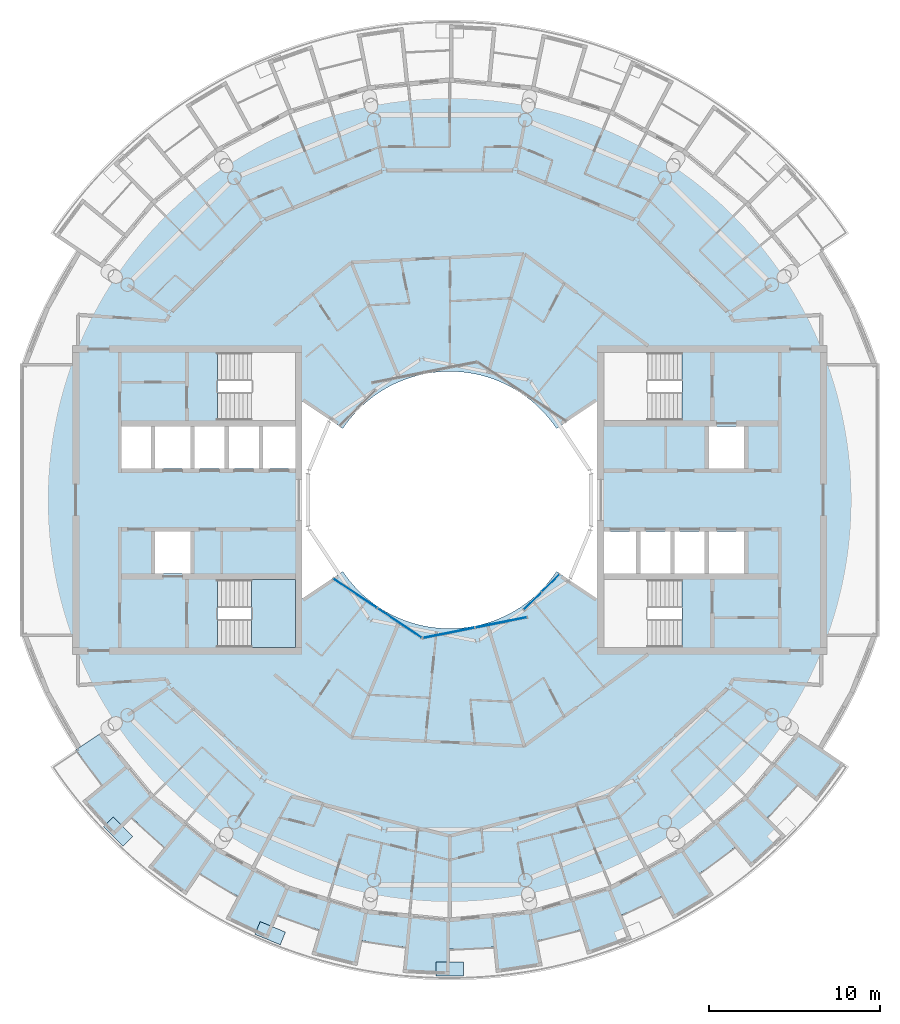
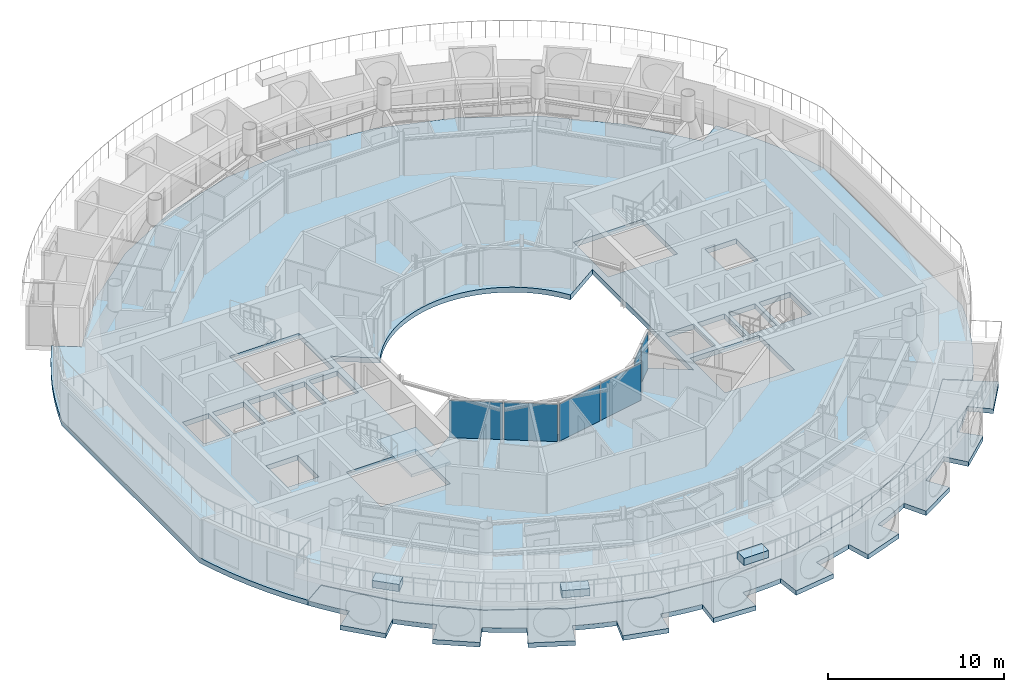
# One storey, part 9 of 25: 6 plates, 6 slabs, 4 elements without a shape of their own.
"""IFC4 building model written with IfcOpenShell, lengths in metres."""

import ifcopenshell
import ifcopenshell.guid

model = None  # the IFC model being written
_history = None  # IfcOwnerHistory: only IFC2X3 demands one
_inside = {}  # id of a spatial element -> (the spatial element, [elements in it])
_under = {}  # id of a project, library or spatial element -> (it, [spatial elements below it])
_declared = {}  # id of a project -> (the project, [libraries it declares])
_typed = {}  # id of a type object -> (the type object, [elements of that type])
_made_of = {}  # id of a material, layer set ... -> (it, [elements and type objects made of it])


def new_model(schema):
    """Start an empty IFC model of exactly this schema.

    Asked for "IFC4X3", IfcOpenShell would pick the latest addendum, in which some entities
    have other attributes; the version numbers below select the first issue.
    IFC2X3 requires an IfcOwnerHistory on every rooted entity: one is made here for all.
    """
    global model, _history
    if schema == "IFC4X3":
        model = ifcopenshell.file(schema_version=(4, 3, 0, 0))
    else:
        model = ifcopenshell.file(schema=schema)
    _inside.clear()
    _under.clear()
    _declared.clear()
    _typed.clear()
    _made_of.clear()
    _history = None
    if model.schema == "IFC2X3":
        org = make("IfcOrganization", Name="unknown")
        user = make(
            "IfcPersonAndOrganization",
            ThePerson=make("IfcPerson", FamilyName="unknown"),
            TheOrganization=org,
        )
        app = make(
            "IfcApplication",
            ApplicationDeveloper=org,
            Version="unknown",
            ApplicationFullName="unknown",
            ApplicationIdentifier="unknown",
        )
        _history = make(
            "IfcOwnerHistory",
            OwningUser=user,
            OwningApplication=app,
            ChangeAction="ADDED",
            CreationDate=0,
        )
    return model


def make(cls, **values):
    """One entity of the class cls with the attributes given. An attribute that is None is left unset."""
    return model.create_entity(
        cls, **{name: value for name, value in values.items() if value is not None}
    )


def rooted(cls, **values):
    """An entity with a GlobalId (a new one), such as an element, a storey or a relation."""
    return make(cls, GlobalId=ifcopenshell.guid.new(), OwnerHistory=_history, **values)


def si_unit(unit_type, name, prefix=None):
    """IfcSIUnit, for example si_unit("LENGTHUNIT", "METRE", prefix="MILLI")."""
    return make("IfcSIUnit", UnitType=unit_type, Prefix=prefix, Name=name)


def assignment(units):
    """IfcUnitAssignment: the units of a project."""
    return None if units is None else make("IfcUnitAssignment", Units=units)


def point(xyz):
    """IfcCartesianPoint."""
    return None if xyz is None else make("IfcCartesianPoint", Coordinates=xyz)


def direction(xyz):
    """IfcDirection."""
    return None if xyz is None else make("IfcDirection", DirectionRatios=xyz)


def frame(location, z_axis=None, x_axis=None):
    """IfcAxis2Placement3D, a coordinate frame: its origin and axes. An axis left out is left unset."""
    return make(
        "IfcAxis2Placement3D",
        Location=point(location),
        Axis=direction(z_axis),
        RefDirection=direction(x_axis),
    )


def frame_2d(location, x_axis=None):
    """IfcAxis2Placement2D, a coordinate frame in the plane: its origin and x axis."""
    return make(
        "IfcAxis2Placement2D", Location=point(location), RefDirection=direction(x_axis)
    )


def origin():
    """The frame at (0, 0, 0) with its axes left unset."""
    return frame((0.0, 0.0, 0.0))


def origin_2d():
    """The frame at (0, 0) in the plane with its x axis left unset."""
    return frame_2d((0.0, 0.0))


def place(relative_to, where):
    """IfcLocalPlacement: puts the frame where relative to a parent placement (None: the world)."""
    return make(
        "IfcLocalPlacement", PlacementRelTo=relative_to, RelativePlacement=where
    )


def context(
    kind, dimensions, precision=None, world=None, true_north=None, identifier=None
):
    """IfcGeometricRepresentationContext, for example the 3D "Model" context."""
    return make(
        "IfcGeometricRepresentationContext",
        ContextIdentifier=identifier,
        ContextType=kind,
        CoordinateSpaceDimension=dimensions,
        Precision=precision,
        WorldCoordinateSystem=world,
        TrueNorth=true_north,
    )


def subcontext(parent, identifier, kind, view, scale=None):
    """IfcGeometricRepresentationSubContext, for example "Body" below "Model"."""
    return make(
        "IfcGeometricRepresentationSubContext",
        ContextIdentifier=identifier,
        ContextType=kind,
        ParentContext=parent,
        TargetScale=scale,
        TargetView=view,
    )


def project(units=None, contexts=None):
    """IfcProject with its units and contexts."""
    return rooted(
        "IfcProject",
        Name="project",
        RepresentationContexts=contexts,
        UnitsInContext=assignment(units),
    )


def spatial(cls, under=None, at=None, **own):
    """A site, building, storey or space (cls), placed at a placement, below another one or the project."""
    s = rooted(cls, ObjectPlacement=at, **own)
    if under is not None:
        _under.setdefault(under.id(), (under, []))[1].append(s)
    return s


def polyline(points):
    """IfcPolyline through the points."""
    return make("IfcPolyline", Points=[point(p) for p in points])


def profile(cls, at=None, kind="AREA", **sizes):
    """A parametric profile (cls). Its sizes go by their IFC names, for example OverallWidth=200.0."""
    return make(cls, ProfileType=kind, Position=at, **sizes)


def rectangle(**sizes):
    """IfcRectangleProfileDef."""
    return profile("IfcRectangleProfileDef", **sizes)


def outline(outer, holes=None, kind="AREA"):
    """IfcArbitraryClosedProfileDef: a profile drawn as a closed curve; with holes, ...WithVoids."""
    if holes is None:
        return make("IfcArbitraryClosedProfileDef", ProfileType=kind, OuterCurve=outer)
    return make(
        "IfcArbitraryProfileDefWithVoids",
        ProfileType=kind,
        OuterCurve=outer,
        InnerCurves=holes,
    )


def extrude(swept, where, along, depth):
    """IfcExtrudedAreaSolid: the profile swept, set in the frame where, extruded along a direction by depth."""
    return make(
        "IfcExtrudedAreaSolid",
        SweptArea=swept,
        Position=where,
        ExtrudedDirection=direction(along),
        Depth=depth,
    )


def shape(context_of_items, identifier, shape_type, items):
    """IfcShapeRepresentation: the items that make up one representation, for example the "Body"."""
    return make(
        "IfcShapeRepresentation",
        ContextOfItems=context_of_items,
        RepresentationIdentifier=identifier,
        RepresentationType=shape_type,
        Items=items,
    )


def material(Name=None, Category=None):
    """IfcMaterial."""
    return make("IfcMaterial", Name=Name, Category=Category)


def layer(
    of_material, thickness, ventilated=None, Name=None, Category=None, Priority=None
):
    """IfcMaterialLayer: one layer of a wall or slab, of a material (None: an air gap)."""
    return make(
        "IfcMaterialLayer",
        Material=of_material,
        LayerThickness=thickness,
        IsVentilated=ventilated,
        Name=Name,
        Category=Category,
        Priority=Priority,
    )


def layer_set(layers, Name=None):
    """IfcMaterialLayerSet."""
    return make("IfcMaterialLayerSet", MaterialLayers=layers, LayerSetName=Name)


def made_of(thing, what):
    """Note that an element or type object is made of a material, layer set ...; save() writes the relation."""
    if what is not None:
        _made_of.setdefault(what.id(), (what, []))[1].append(thing)
    return thing


def type_object(cls, material=None, **own):
    """A type object (cls), such as IfcWallType, which elements share."""
    return made_of(rooted(cls, **own), material)


def element(
    cls,
    number,
    at=None,
    inside=None,
    cuts=None,
    type_object=None,
    material=None,
    context=None,
    identifier="Body",
    shape_type=None,
    held_by="IfcProductDefinitionShape",
    body=None,
    shapes=None,
    **own,
):
    """One element of the class cls, such as IfcWall. Its Tag is "e" and its number.

    at: its placement. inside: the storey or other place that contains it. cuts: it is an
    opening in that element (IfcRelVoidsElement). A single representation is given by context,
    identifier, shape_type and body (its items); several are given by shapes. held_by: the class
    of the entity that holds the representations. save() writes the other relations.
    """
    e = rooted(cls, Tag="e%d" % number, ObjectPlacement=at, **own)
    if body is not None:
        shapes = [shape(context, identifier, shape_type, body)]
    if shapes is not None:
        e.Representation = make(held_by, Representations=shapes)
    if inside is not None:
        _inside.setdefault(inside.id(), (inside, []))[1].append(e)
    if cuts is not None:
        rooted(
            "IfcRelVoidsElement", RelatingBuildingElement=cuts, RelatedOpeningElement=e
        )
    if type_object is not None:
        _typed.setdefault(type_object.id(), (type_object, []))[1].append(e)
    return made_of(e, material)


def aggregate(whole, parts):
    """IfcRelAggregates: a whole, such as a stair, and the parts it consists of."""
    return rooted("IfcRelAggregates", RelatingObject=whole, RelatedObjects=parts)


def save(model, path):
    """Write the relations noted so far, then the file.

    IfcRelAggregates (storeys below a building ...), IfcRelContainedInSpatialStructure (elements
    in a storey), IfcRelDefinesByType, IfcRelAssociatesMaterial and IfcRelDeclares: one each for
    every whole, place, type object, material and project.
    """
    for whole, parts in _under.values():
        aggregate(whole, parts)
    for where, things in _inside.values():
        rooted(
            "IfcRelContainedInSpatialStructure",
            RelatedElements=things,
            RelatingStructure=where,
        )
    for kind, things in _typed.values():
        rooted("IfcRelDefinesByType", RelatedObjects=things, RelatingType=kind)
    for what, things in _made_of.values():
        rooted("IfcRelAssociatesMaterial", RelatedObjects=things, RelatingMaterial=what)
    for by, libraries in _declared.values():
        rooted("IfcRelDeclares", RelatingContext=by, RelatedDefinitions=libraries)
    model.write(path)


model = new_model("IFC4")

# Units and contexts
model_context = context("Model", 3, precision=1e-05, world=origin(), true_north=direction((0.0, 1.0)))
body_context = subcontext(model_context, "Body", "Model", "MODEL_VIEW")
ifc_project = project(units=[si_unit("LENGTHUNIT", "METRE"), si_unit("AREAUNIT", "SQUARE_METRE"), si_unit("VOLUMEUNIT", "CUBIC_METRE"), si_unit("PLANEANGLEUNIT", "RADIAN"), si_unit("MASSUNIT", "GRAM", prefix="KILO")], contexts=[model_context])

# Site, building, storey
site_placement = place(None, origin())
site = spatial("IfcSite", under=ifc_project, at=site_placement, CompositionType="ELEMENT")
building_placement = place(site_placement, origin())
building = spatial("IfcBuilding", under=site, at=building_placement, Name="Maasbend Ring Residences", CompositionType="ELEMENT")
storey_placement = place(building_placement, frame((0.0, 0.0, 246.25)))
storey = spatial("IfcBuildingStorey", under=building, at=storey_placement, Name="L71", CompositionType="ELEMENT", Elevation=246.25)

# Stair, slab
ifc_material_1 = material(Name="Concrete C40/50", Category="concrete")
stair_type = type_object("IfcStairType", Name="CORE STAIR 18 RISERS", PredefinedType="HALF_TURN_STAIR", material=ifc_material_1)
stair_placement = place(storey_placement, origin())
stair = element("IfcStair", 1, at=stair_placement, inside=storey, type_object=stair_type, Name="L71 Exit stair ST-W1", PredefinedType="HALF_TURN_STAIR")
ifc_material_2 = material(Name="Concrete C40/50", Category="concrete")
ifc_layer_1 = layer(ifc_material_2, 0.199951171875)
ifc_layer_set_1 = layer_set([ifc_layer_1], Name="Concrete C40/50")
slab_type_1 = type_object("IfcSlabType", Name="CORE STAIR LANDING 200", PredefinedType="LANDING", material=ifc_layer_set_1)
slab_1_placement = place(storey_placement, frame((0.0, 0.0, 1.324951171875)))
slab_1 = element("IfcSlab", 2, at=slab_1_placement, type_object=slab_type_1, Name="ST-W1 landing 1", PredefinedType="LANDING", context=body_context, shape_type="SweptSolid", body=[
    extrude(outline(polyline([(-11.550048828125, -8.60009765625), (-9.0, -8.60009765625), (-9.0, -4.64990234375), (-11.550048828125, -4.64990234375), (-11.550048828125, -8.60009765625)])), origin(), (0.0, 0.0, 1.0), 0.199951171875),
])
aggregate(stair, [slab_1])

# Curtain wall, plates
ifc_material_3 = material(Name="Aluminium and clear glass", Category="aluminium")
ifc_layer_2 = layer(ifc_material_3, 0.179931640625)
ifc_layer_set_2 = layer_set([ifc_layer_2], Name="CW-W")
curtain_wall_type = type_object("IfcCurtainWallType", Name="CW-W", PredefinedType="NOTDEFINED", material=ifc_layer_set_2)
curtain_wall_1_placement = place(storey_placement, origin())
curtain_wall_1 = element("IfcCurtainWall", 3, at=curtain_wall_1_placement, inside=storey, type_object=curtain_wall_type, Name="Well curtain wall S1", PredefinedType="NOTDEFINED")
ifc_material_4 = material(Name="Glass clear laminated", Category="glass")
ifc_layer_3 = layer(ifc_material_4, 0.031982421875)
ifc_layer_set_3 = layer_set([ifc_layer_3], Name="CWP-W")
plate_type = type_object("IfcPlateType", Name="CWP-W", PredefinedType="CURTAIN_PANEL", material=ifc_layer_set_3)
plate_1_placement = place(storey_placement, frame((-5.51123046875, -5.44580078125, 0.0), z_axis=(0.0, 0.0, 1.0), x_axis=(0.831469612303, -0.55557023302, 0.0)))
plate_1 = element("IfcPlate", 4, at=plate_1_placement, type_object=plate_type, Name="Glass panel well face", PredefinedType="CURTAIN_PANEL", context=body_context, shape_type="SweptSolid", body=[
    extrude(rectangle(XDim=3.053955078125, YDim=0.031982421875, at=origin_2d()), origin(), (0.0, 0.0, 1.0), 2.580078125),
])
plate_2_placement = place(storey_placement, frame((-2.922119140625, -7.17578125, 0.0), z_axis=(0.0, 0.0, 1.0), x_axis=(0.831469612303, -0.55557023302, 0.0)))
plate_2 = element("IfcPlate", 5, at=plate_2_placement, type_object=plate_type, Name="Glass panel well face", PredefinedType="CURTAIN_PANEL", context=body_context, shape_type="SweptSolid", body=[
    extrude(rectangle(XDim=3.053955078125, YDim=0.031982421875, at=origin_2d()), origin(), (0.0, 0.0, 1.0), 2.580078125),
])
aggregate(curtain_wall_1, [plate_1, plate_2])

curtain_wall_2_placement = place(storey_placement, origin())
curtain_wall_2 = element("IfcCurtainWall", 6, at=curtain_wall_2_placement, inside=storey, type_object=curtain_wall_type, Name="Well curtain wall S2", PredefinedType="NOTDEFINED")
plate_3_placement = place(storey_placement, frame((-0.04638671875, -7.747802734375, 0.0), z_axis=(0.0, 0.0, 1.0), x_axis=(0.980785280403, 0.195090322016, 0.0)))
plate_3 = element("IfcPlate", 7, at=plate_3_placement, type_object=plate_type, Name="Glass panel well face", PredefinedType="CURTAIN_PANEL", context=body_context, shape_type="SweptSolid", body=[
    extrude(rectangle(XDim=3.053955078125, YDim=0.031982421875, at=origin_2d()), origin(), (0.0, 0.0, 1.0), 2.580078125),
])
plate_4_placement = place(storey_placement, frame((3.0078125, -7.140380859375, 0.0), z_axis=(0.0, 0.0, 1.0), x_axis=(0.980785280403, 0.195090322016, 0.0)))
plate_4 = element("IfcPlate", 8, at=plate_4_placement, type_object=plate_type, Name="Glass panel well face", PredefinedType="CURTAIN_PANEL", context=body_context, shape_type="SweptSolid", body=[
    extrude(rectangle(XDim=3.053955078125, YDim=0.031982421875, at=origin_2d()), origin(), (0.0, 0.0, 1.0), 2.580078125),
])
aggregate(curtain_wall_2, [plate_3, plate_4])

curtain_wall_3_placement = place(storey_placement, origin())
curtain_wall_3 = element("IfcCurtainWall", 9, at=curtain_wall_3_placement, inside=storey, type_object=curtain_wall_type, Name="Well curtain wall S3", PredefinedType="NOTDEFINED")
plate_5_placement = place(storey_placement, frame((4.84375, -5.89013671875, 0.0), z_axis=(0.0, 0.0, 1.0), x_axis=(0.707106781187, 0.707106781187, 0.0)))
plate_5 = element("IfcPlate", 10, at=plate_5_placement, type_object=plate_type, Name="Glass panel well face", PredefinedType="CURTAIN_PANEL", context=body_context, shape_type="SweptSolid", body=[
    extrude(rectangle(XDim=1.419677734375, YDim=0.031982421875, at=origin_2d()), origin(), (0.0, 0.0, 1.0), 2.580078125),
])
plate_6_placement = place(storey_placement, frame((5.89013671875, -4.84375, 0.0), z_axis=(0.0, 0.0, 1.0), x_axis=(0.707106781187, 0.707106781187, 0.0)))
plate_6 = element("IfcPlate", 11, at=plate_6_placement, type_object=plate_type, Name="Glass panel well face", PredefinedType="CURTAIN_PANEL", context=body_context, shape_type="SweptSolid", body=[
    extrude(rectangle(XDim=1.419677734375, YDim=0.031982421875, at=origin_2d()), origin(), (0.0, 0.0, 1.0), 2.580078125),
])
aggregate(curtain_wall_3, [plate_5, plate_6])

# Slabs
ifc_material_5 = material(Name="Lawn and planting")
ifc_layer_4 = layer(ifc_material_5, 0.5)
ifc_layer_set_4 = layer_set([ifc_layer_4], Name="PLANTER-CT")
slab_type_2 = type_object("IfcSlabType", Name="PLANTER-CT", PredefinedType="USERDEFINED", material=ifc_layer_set_4)
slab_2_placement = place(storey_placement, frame((0.0, 0.0, 3.050048828125)))
element("IfcSlab", 12, at=slab_2_placement, inside=storey, type_object=slab_type_2, Name="Terrace planter 6", ObjectType="PLANTER", PredefinedType="USERDEFINED", context=body_context, shape_type="SweptSolid", body=[
    extrude(outline(polyline([(-20.18798828125, -19.056884765625), (-19.056884765625, -20.18798828125), (-18.490966796875, -19.6220703125), (-19.6220703125, -18.490966796875), (-20.18798828125, -19.056884765625)])), origin(), (0.0, 0.0, 1.0), 0.5),
])
slab_3_placement = place(storey_placement, frame((0.0, 0.0, 3.050048828125)))
element("IfcSlab", 13, at=slab_3_placement, inside=storey, type_object=slab_type_2, Name="Terrace planter 7", ObjectType="PLANTER", PredefinedType="USERDEFINED", context=body_context, shape_type="SweptSolid", body=[
    extrude(outline(polyline([(-11.35888671875, -25.33203125), (-9.8798828125, -25.944091796875), (-9.573974609375, -25.205078125), (-11.052001953125, -24.592041015625), (-11.35888671875, -25.33203125)])), origin(), (0.0, 0.0, 1.0), 0.5),
])
slab_4_placement = place(storey_placement, frame((0.0, 0.0, 3.050048828125)))
element("IfcSlab", 14, at=slab_4_placement, inside=storey, type_object=slab_type_2, Name="Terrace planter 8", ObjectType="PLANTER", PredefinedType="USERDEFINED", context=body_context, shape_type="SweptSolid", body=[
    extrude(outline(polyline([(-0.800048828125, -27.75), (0.800048828125, -27.75), (0.800048828125, -26.949951171875), (-0.800048828125, -26.949951171875), (-0.800048828125, -27.75)])), origin(), (0.0, 0.0, 1.0), 0.5),
])
ifc_material_6 = material(Name="Concrete C40/50", Category="concrete")
ifc_layer_5 = layer(ifc_material_6, 0.35009765625)
ifc_layer_set_5 = layer_set([ifc_layer_5], Name="Concrete C40/50")
slab_type_3 = type_object("IfcSlabType", Name="Post-tensioned flat plate 350", PredefinedType="FLOOR", material=ifc_layer_set_5)
slab_5_placement = place(storey_placement, frame((0.0, 0.0, -0.35009765625)))
element("IfcSlab", 15, at=slab_5_placement, inside=storey, type_object=slab_type_3, Name="Floor slab L71", PredefinedType="FLOOR", context=body_context, shape_type="SweptSolid", body=[
    extrude(outline(polyline([(21.784423828125, -14.555908203125), (22.472412109375, -13.469482421875), (23.106201171875, -12.3505859375), (23.6845703125, -11.201904296875), (24.20556640625, -10.0263671875), (24.66845703125, -8.826416015625), (25.0, -7.822998046875), (25.0, 7.822998046875), (24.66845703125, 8.826416015625), (24.20556640625, 10.0263671875), (23.6845703125, 11.201904296875), (23.106201171875, 12.3505859375), (22.472412109375, 13.469482421875), (21.784423828125, 14.555908203125), (20.37109375, 13.611572265625), (17.32421875, 17.32421875), (13.611572265625, 20.37109375), (9.375732421875, 22.635009765625), (4.77978515625, 24.029296875), (0.0, 24.5), (-4.77978515625, 24.029296875), (-9.375732421875, 22.635009765625), (-13.611572265625, 20.37109375), (-17.32421875, 17.32421875), (-20.37109375, 13.611572265625), (-21.784423828125, 14.555908203125), (-22.472412109375, 13.469482421875), (-23.106201171875, 12.3505859375), (-23.6845703125, 11.201904296875), (-24.20556640625, 10.0263671875), (-24.66845703125, 8.826416015625), (-25.0, 7.822998046875), (-25.0, -7.822998046875), (-24.66845703125, -8.826416015625), (-24.20556640625, -10.0263671875), (-23.6845703125, -11.201904296875), (-23.106201171875, -12.3505859375), (-22.472412109375, -13.469482421875), (-21.784423828125, -14.555908203125), (-20.37109375, -13.611572265625), (-17.32421875, -17.32421875), (-13.611572265625, -20.37109375), (-13.611572265625, -20.37109375), (-9.375732421875, -22.635009765625), (-9.375732421875, -22.635009765625), (-4.77978515625, -24.029296875), (-4.77978515625, -24.029296875), (0.0, -24.5), (4.77978515625, -24.029296875), (4.77978515625, -24.029296875), (9.375732421875, -22.635009765625), (9.375732421875, -22.635009765625), (13.611572265625, -20.37109375), (13.611572265625, -20.37109375), (17.32421875, -17.32421875), (17.32421875, -17.32421875), (20.37109375, -13.611572265625), (21.784423828125, -14.555908203125)]), holes=[polyline([(15.125, 1.824951171875), (15.125, 4.27490234375), (17.175048828125, 4.27490234375), (17.175048828125, 1.824951171875), (15.125, 1.824951171875)]), polyline([(15.125, -4.27490234375), (15.125, -1.824951171875), (17.175048828125, -1.824951171875), (17.175048828125, -4.27490234375), (15.125, -4.27490234375)]), polyline([(13.125, -4.27490234375), (13.125, -1.824951171875), (14.875, -1.824951171875), (14.875, -4.27490234375), (13.125, -4.27490234375)]), polyline([(13.550048828125, 8.60009765625), (13.550048828125, 4.64990234375), (9.0, 4.64990234375), (9.0, 8.60009765625), (13.550048828125, 8.60009765625)]), polyline([(13.550048828125, -4.64990234375), (13.550048828125, -8.60009765625), (9.0, -8.60009765625), (9.0, -4.64990234375), (13.550048828125, -4.64990234375)]), polyline([(11.125, -4.27490234375), (11.125, -1.824951171875), (12.875, -1.824951171875), (12.875, -4.27490234375), (11.125, -4.27490234375)]), polyline([(9.0, -4.27490234375), (9.0, -1.824951171875), (10.875, -1.824951171875), (10.875, -4.27490234375), (9.0, -4.27490234375)]), polyline([(6.024169921875, 4.4677734375), (6.236083984375, 4.166748046875), (8.60009765625, 5.746337890625), (8.60009765625, -5.746337890625), (6.236083984375, -4.166748046875), (6.024169921875, -4.4677734375), (5.797607421875, -4.7578125), (5.55712890625, -5.03662109375), (5.30322265625, -5.30322265625), (5.03662109375, -5.55712890625), (4.7578125, -5.797607421875), (4.4677734375, -6.024169921875), (4.166748046875, -6.236083984375), (3.855712890625, -6.43310546875), (3.535400390625, -6.614501953125), (3.206787109375, -6.77978515625), (2.8701171875, -6.92919921875), (2.526611328125, -7.0615234375), (2.177001953125, -7.177001953125), (1.822509765625, -7.275146484375), (1.463134765625, -7.35595703125), (1.1005859375, -7.418701171875), (0.735107421875, -7.4638671875), (0.367919921875, -7.490966796875), (0.0, -7.5), (-0.367919921875, -7.490966796875), (-0.735107421875, -7.4638671875), (-1.1005859375, -7.418701171875), (-1.463134765625, -7.35595703125), (-1.822509765625, -7.275146484375), (-2.177001953125, -7.177001953125), (-2.526611328125, -7.0615234375), (-2.8701171875, -6.92919921875), (-3.206787109375, -6.77978515625), (-3.535400390625, -6.614501953125), (-3.855712890625, -6.43310546875), (-4.166748046875, -6.236083984375), (-4.4677734375, -6.024169921875), (-4.7578125, -5.797607421875), (-5.03662109375, -5.55712890625), (-5.30322265625, -5.30322265625), (-5.55712890625, -5.03662109375), (-5.797607421875, -4.7578125), (-6.024169921875, -4.4677734375), (-6.236083984375, -4.166748046875), (-8.60009765625, -5.746337890625), (-8.60009765625, 5.746337890625), (-6.236083984375, 4.166748046875), (-6.024169921875, 4.4677734375), (-5.797607421875, 4.7578125), (-5.55712890625, 5.03662109375), (-5.30322265625, 5.30322265625), (-5.03662109375, 5.55712890625), (-4.7578125, 5.797607421875), (-4.4677734375, 6.024169921875), (-4.166748046875, 6.236083984375), (-3.855712890625, 6.43310546875), (-3.535400390625, 6.614501953125), (-3.206787109375, 6.77978515625), (-2.8701171875, 6.92919921875), (-2.526611328125, 7.0615234375), (-2.177001953125, 7.177001953125), (-1.822509765625, 7.275146484375), (-1.463134765625, 7.35595703125), (-1.1005859375, 7.418701171875), (-0.735107421875, 7.4638671875), (-0.367919921875, 7.490966796875), (0.0, 7.5), (0.367919921875, 7.490966796875), (0.735107421875, 7.4638671875), (1.1005859375, 7.418701171875), (1.463134765625, 7.35595703125), (1.822509765625, 7.275146484375), (2.177001953125, 7.177001953125), (2.526611328125, 7.0615234375), (2.8701171875, 6.92919921875), (3.206787109375, 6.77978515625), (3.535400390625, 6.614501953125), (3.855712890625, 6.43310546875), (4.166748046875, 6.236083984375), (4.4677734375, 6.024169921875), (4.7578125, 5.797607421875), (5.03662109375, 5.55712890625), (5.30322265625, 5.30322265625), (5.55712890625, 5.03662109375), (5.797607421875, 4.7578125), (6.024169921875, 4.4677734375)]), polyline([(-13.550048828125, 4.64990234375), (-13.550048828125, 8.60009765625), (-9.0, 8.60009765625), (-9.0, 4.64990234375), (-13.550048828125, 4.64990234375)]), polyline([(-9.0, -8.60009765625), (-13.550048828125, -8.60009765625), (-13.550048828125, -4.64990234375), (-9.0, -4.64990234375), (-9.0, -8.60009765625)]), polyline([(-9.0, 4.27490234375), (-9.0, 1.824951171875), (-10.875, 1.824951171875), (-10.875, 4.27490234375), (-9.0, 4.27490234375)]), polyline([(-11.125, 4.27490234375), (-11.125, 1.824951171875), (-12.875, 1.824951171875), (-12.875, 4.27490234375), (-11.125, 4.27490234375)]), polyline([(-13.125, 4.27490234375), (-13.125, 1.824951171875), (-14.875, 1.824951171875), (-14.875, 4.27490234375), (-13.125, 4.27490234375)]), polyline([(-15.125, 4.27490234375), (-15.125, 1.824951171875), (-17.175048828125, 1.824951171875), (-17.175048828125, 4.27490234375), (-15.125, 4.27490234375)]), polyline([(-15.125, -1.824951171875), (-15.125, -4.27490234375), (-17.175048828125, -4.27490234375), (-17.175048828125, -1.824951171875), (-15.125, -1.824951171875)]), polyline([(-17.425048828125, 4.27490234375), (-17.425048828125, 1.824951171875), (-19.14990234375, 1.824951171875), (-19.14990234375, 4.27490234375), (-17.425048828125, 4.27490234375)])]), origin(), (0.0, 0.0, 1.0), 0.35009765625),
])
ifc_material_7 = material(Name="Concrete C40/50", Category="concrete")
ifc_layer_6 = layer(ifc_material_7, 0.199951171875)
ifc_layer_set_6 = layer_set([ifc_layer_6], Name="Concrete C40/50")
slab_type_4 = type_object("IfcSlabType", Name="SL-LOGGIA", PredefinedType="FLOOR", material=ifc_layer_set_6)
slab_6_placement = place(storey_placement, frame((0.0, 0.0, -0.35009765625)))
element("IfcSlab", 16, at=slab_6_placement, inside=storey, type_object=slab_type_4, Name="Loggia floor 1", PredefinedType="FLOOR", context=body_context, shape_type="SweptSolid", body=[
    extrude(outline(polyline([(-21.784912109375, -14.555908203125), (-20.37109375, -13.611083984375), (-18.847900390625, -15.468017578125), (-17.323974609375, -17.323974609375), (-17.323974609375, -17.323974609375), (-17.323974609375, -17.323974609375), (-15.468017578125, -18.847900390625), (-13.612060546875, -20.37109375), (-13.611083984375, -20.37109375), (-13.611083984375, -20.37109375), (-11.493896484375, -21.5029296875), (-9.3759765625, -22.635009765625), (-9.3759765625, -22.635009765625), (-9.3759765625, -22.635009765625), (-7.077880859375, -23.33203125), (-4.780029296875, -24.029052734375), (-4.780029296875, -24.029052734375), (-4.780029296875, -24.029052734375), (-2.389892578125, -24.264892578125), (0.0, -24.5), (0.0, -24.5), (0.0, -24.5), (2.389892578125, -24.264892578125), (4.780029296875, -24.029052734375), (4.780029296875, -24.029052734375), (4.780029296875, -24.029052734375), (7.077880859375, -23.33203125), (9.3759765625, -22.635009765625), (9.3759765625, -22.635009765625), (9.3759765625, -22.635009765625), (11.493896484375, -21.5029296875), (13.611083984375, -20.37109375), (13.611083984375, -20.37109375), (13.612060546875, -20.37109375), (15.468017578125, -18.847900390625), (17.323974609375, -17.323974609375), (17.323974609375, -17.323974609375), (17.323974609375, -17.323974609375), (18.847900390625, -15.468017578125), (20.37109375, -13.611083984375), (23.031982421875, -15.388916015625), (21.412109375, -17.572998046875), (20.2529296875, -16.62109375), (20.2529296875, -16.62109375), (20.2529296875, -16.62109375), (20.2529296875, -16.62109375), (20.2529296875, -16.62109375), (20.2529296875, -16.62109375), (20.2529296875, -16.62109375), (20.2529296875, -16.62109375), (20.2529296875, -16.62109375), (20.2529296875, -16.62109375), (20.2529296875, -16.62109375), (20.2529296875, -16.62109375), (20.2529296875, -16.62109375), (20.2529296875, -16.62109375), (20.2529296875, -16.62109375), (20.2529296875, -16.62109375), (20.2529296875, -16.62109375), (19.697998046875, -17.27490234375), (19.1220703125, -17.909912109375), (18.527099609375, -18.52587890625), (18.527099609375, -18.52587890625), (18.52587890625, -18.52587890625), (18.52587890625, -18.52587890625), (18.52587890625, -18.52587890625), (18.52587890625, -18.52587890625), (18.52587890625, -18.52587890625), (18.52587890625, -18.52587890625), (18.52587890625, -18.52587890625), (18.52587890625, -18.52587890625), (18.52587890625, -18.52587890625), (18.52587890625, -18.52587890625), (18.52587890625, -18.52587890625), (18.52587890625, -18.52587890625), (18.52587890625, -18.52587890625), (18.527099609375, -18.527099609375), (18.527099609375, -18.527099609375), (19.5869140625, -19.5869140625), (17.572998046875, -21.412109375), (16.62109375, -20.2529296875), (16.62109375, -20.2529296875), (16.62109375, -20.2529296875), (16.62109375, -20.2529296875), (16.62109375, -20.2529296875), (16.62109375, -20.2529296875), (16.62109375, -20.2529296875), (16.62109375, -20.2529296875), (16.62109375, -20.2529296875), (16.62109375, -20.2529296875), (16.62109375, -20.2529296875), (16.62109375, -20.2529296875), (16.62109375, -20.2529296875), (16.62109375, -20.2529296875), (16.62109375, -20.2529296875), (16.62109375, -20.2529296875), (16.62109375, -20.2529296875), (15.949951171875, -20.785888671875), (15.260986328125, -21.297119140625), (14.555908203125, -21.783935546875), (14.555908203125, -21.783935546875), (14.555908203125, -21.783935546875), (14.555908203125, -21.783935546875), (14.555908203125, -21.783935546875), (14.555908203125, -21.783935546875), (14.555908203125, -21.783935546875), (14.555908203125, -21.783935546875), (14.555908203125, -21.784912109375), (14.555908203125, -21.784912109375), (14.555908203125, -21.784912109375), (14.555908203125, -21.784912109375), (14.555908203125, -21.784912109375), (14.555908203125, -21.784912109375), (14.555908203125, -21.784912109375), (14.555908203125, -21.784912109375), (14.555908203125, -21.784912109375), (15.388916015625, -23.031982421875), (13.05810546875, -24.428955078125), (12.35107421875, -23.10693359375), (12.35107421875, -23.10693359375), (12.35107421875, -23.10693359375), (12.35107421875, -23.10693359375), (12.35107421875, -23.10693359375), (12.35107421875, -23.10693359375), (12.35107421875, -23.10693359375), (12.35107421875, -23.10693359375), (12.35107421875, -23.10693359375), (12.35009765625, -23.10693359375), (12.35009765625, -23.10693359375), (12.35009765625, -23.10693359375), (12.35009765625, -23.10693359375), (12.35009765625, -23.10693359375), (12.35009765625, -23.10693359375), (12.35009765625, -23.10693359375), (12.35009765625, -23.10693359375), (11.587890625, -23.498046875), (10.81298828125, -23.864990234375), (10.027099609375, -24.205078125), (10.027099609375, -24.205078125), (10.027099609375, -24.205078125), (10.027099609375, -24.2060546875), (10.027099609375, -24.2060546875), (10.027099609375, -24.2060546875), (10.027099609375, -24.2060546875), (10.027099609375, -24.2060546875), (10.02587890625, -24.2060546875), (10.02587890625, -24.2060546875), (10.02587890625, -24.2060546875), (10.02587890625, -24.2060546875), (10.02587890625, -24.2060546875), (10.02587890625, -24.2060546875), (10.02587890625, -24.2060546875), (10.02587890625, -24.2060546875), (10.02587890625, -24.2060546875), (10.60009765625, -25.591064453125), (8.041015625, -26.507080078125), (7.60595703125, -25.072021484375), (7.60595703125, -25.072021484375), (7.60595703125, -25.072021484375), (7.60595703125, -25.072021484375), (7.60595703125, -25.072021484375), (7.60498046875, -25.072021484375), (7.60498046875, -25.072021484375), (7.60498046875, -25.072021484375), (7.60498046875, -25.072021484375), (7.60498046875, -25.072021484375), (7.60498046875, -25.072021484375), (7.60498046875, -25.072021484375), (7.60498046875, -25.072021484375), (7.60498046875, -25.072021484375), (7.60498046875, -25.072021484375), (7.60498046875, -25.072021484375), (7.60498046875, -25.072021484375), (6.781005859375, -25.306884765625), (5.948974609375, -25.51611328125), (5.112060546875, -25.696044921875), (5.112060546875, -25.696044921875), (5.112060546875, -25.697021484375), (5.112060546875, -25.697021484375), (5.112060546875, -25.697021484375), (5.112060546875, -25.697021484375), (5.112060546875, -25.697021484375), (5.112060546875, -25.697021484375), (5.112060546875, -25.697021484375), (5.112060546875, -25.697021484375), (5.111083984375, -25.697021484375), (5.111083984375, -25.697021484375), (5.111083984375, -25.697021484375), (5.111083984375, -25.697021484375), (5.111083984375, -25.697021484375), (5.111083984375, -25.697021484375), (5.111083984375, -25.697021484375), (5.404052734375, -27.16796875), (2.715087890625, -27.56689453125), (2.568115234375, -26.073974609375), (2.568115234375, -26.073974609375), (2.568115234375, -26.073974609375), (2.568115234375, -26.073974609375), (2.568115234375, -26.073974609375), (2.568115234375, -26.073974609375), (2.568115234375, -26.073974609375), (2.568115234375, -26.073974609375), (2.568115234375, -26.073974609375), (2.568115234375, -26.073974609375), (2.568115234375, -26.073974609375), (2.568115234375, -26.073974609375), (2.568115234375, -26.073974609375), (2.568115234375, -26.073974609375), (2.568115234375, -26.073974609375), (2.568115234375, -26.073974609375), (2.568115234375, -26.073974609375), (1.714111328125, -26.14404296875), (0.85693359375, -26.18603515625), (0.0, -26.199951171875), (0.0, -26.199951171875), (0.0, -26.199951171875), (0.0, -26.199951171875), (0.0, -26.199951171875), (0.0, -26.199951171875), (0.0, -26.199951171875), (0.0, -26.199951171875), (0.0, -26.199951171875), (0.0, -26.199951171875), (0.0, -26.199951171875), (0.0, -26.199951171875), (0.0, -26.199951171875), (0.0, -26.199951171875), (0.0, -26.199951171875), (0.0, -26.199951171875), (0.0, -26.199951171875), (0.0, -27.699951171875), (-2.715087890625, -27.56689453125), (-2.568115234375, -26.073974609375), (-2.568115234375, -26.073974609375), (-2.568115234375, -26.073974609375), (-2.568115234375, -26.073974609375), (-2.568115234375, -26.073974609375), (-2.568115234375, -26.073974609375), (-2.568115234375, -26.073974609375), (-2.568115234375, -26.073974609375), (-2.568115234375, -26.073974609375), (-2.568115234375, -26.073974609375), (-2.568115234375, -26.073974609375), (-2.568115234375, -26.073974609375), (-2.568115234375, -26.073974609375), (-2.568115234375, -26.073974609375), (-2.568115234375, -26.073974609375), (-2.568115234375, -26.073974609375), (-2.569091796875, -26.073974609375), (-3.419921875, -25.97607421875), (-4.26806640625, -25.85009765625), (-5.111083984375, -25.697021484375), (-5.111083984375, -25.697021484375), (-5.111083984375, -25.697021484375), (-5.111083984375, -25.697021484375), (-5.111083984375, -25.697021484375), (-5.111083984375, -25.697021484375), (-5.111083984375, -25.697021484375), (-5.111083984375, -25.697021484375), (-5.111083984375, -25.697021484375), (-5.111083984375, -25.697021484375), (-5.111083984375, -25.697021484375), (-5.111083984375, -25.697021484375), (-5.111083984375, -25.697021484375), (-5.111083984375, -25.697021484375), (-5.111083984375, -25.697021484375), (-5.111083984375, -25.697021484375), (-5.111083984375, -25.697021484375), (-5.404052734375, -27.16796875), (-8.041015625, -26.507080078125), (-7.60595703125, -25.072021484375), (-7.60595703125, -25.072021484375), (-7.60595703125, -25.072021484375), (-7.60595703125, -25.072021484375), (-7.60595703125, -25.072021484375), (-7.60595703125, -25.072021484375), (-7.60595703125, -25.072021484375), (-7.60595703125, -25.072021484375), (-7.60595703125, -25.072021484375), (-7.60595703125, -25.072021484375), (-7.60595703125, -25.072021484375), (-7.60595703125, -25.072021484375), (-7.60595703125, -25.072021484375), (-7.60595703125, -25.072021484375), (-7.60595703125, -25.072021484375), (-7.60595703125, -25.072021484375), (-7.60595703125, -25.072021484375), (-8.422119140625, -24.81005859375), (-9.22900390625, -24.52099609375), (-10.02587890625, -24.2060546875), (-10.02587890625, -24.2060546875), (-10.02587890625, -24.2060546875), (-10.02587890625, -24.2060546875), (-10.02587890625, -24.2060546875), (-10.02587890625, -24.2060546875), (-10.02587890625, -24.2060546875), (-10.02587890625, -24.2060546875), (-10.02587890625, -24.2060546875), (-10.02587890625, -24.2060546875), (-10.02587890625, -24.2060546875), (-10.02587890625, -24.2060546875), (-10.02587890625, -24.2060546875), (-10.02587890625, -24.2060546875), (-10.02587890625, -24.2060546875), (-10.02587890625, -24.2060546875), (-10.02587890625, -24.2060546875), (-10.60009765625, -25.591064453125), (-13.05810546875, -24.428955078125), (-12.35107421875, -23.10693359375), (-12.35107421875, -23.10693359375), (-12.35107421875, -23.10693359375), (-12.35107421875, -23.10693359375), (-12.35107421875, -23.10693359375), (-12.35107421875, -23.10693359375), (-12.35107421875, -23.10595703125), (-12.35107421875, -23.10595703125), (-12.35107421875, -23.10595703125), (-12.35107421875, -23.10595703125), (-12.35107421875, -23.10595703125), (-12.35107421875, -23.10595703125), (-12.35107421875, -23.10595703125), (-12.35107421875, -23.10595703125), (-12.35107421875, -23.10595703125), (-12.35107421875, -23.10595703125), (-12.35107421875, -23.10595703125), (-13.10009765625, -22.68994140625), (-13.8349609375, -22.2490234375), (-14.555908203125, -21.784912109375), (-14.555908203125, -21.784912109375), (-14.555908203125, -21.784912109375), (-14.555908203125, -21.784912109375), (-14.555908203125, -21.784912109375), (-14.555908203125, -21.784912109375), (-14.555908203125, -21.784912109375), (-14.555908203125, -21.784912109375), (-14.555908203125, -21.784912109375), (-14.555908203125, -21.784912109375), (-14.555908203125, -21.784912109375), (-14.555908203125, -21.784912109375), (-14.555908203125, -21.784912109375), (-14.555908203125, -21.784912109375), (-14.555908203125, -21.784912109375), (-14.555908203125, -21.784912109375), (-14.555908203125, -21.784912109375), (-15.388916015625, -23.031982421875), (-17.572998046875, -21.412109375), (-16.62109375, -20.2529296875), (-16.62109375, -20.2529296875), (-16.62109375, -20.2529296875), (-16.62109375, -20.2529296875), (-16.62109375, -20.2529296875), (-16.62109375, -20.2529296875), (-16.62109375, -20.2529296875), (-16.62109375, -20.2529296875), (-16.62109375, -20.2529296875), (-16.62109375, -20.2529296875), (-16.62109375, -20.2529296875), (-16.62109375, -20.2529296875), (-16.62109375, -20.2529296875), (-16.62109375, -20.2529296875), (-16.62109375, -20.2529296875), (-16.62109375, -20.2529296875), (-16.62109375, -20.2529296875), (-17.27490234375, -19.697998046875), (-17.909912109375, -19.1220703125), (-18.52587890625, -18.527099609375), (-18.52587890625, -18.527099609375), (-18.52587890625, -18.52587890625), (-18.52587890625, -18.52587890625), (-18.52587890625, -18.52587890625), (-18.52587890625, -18.52587890625), (-18.52587890625, -18.52587890625), (-18.52587890625, -18.52587890625), (-18.52587890625, -18.52587890625), (-18.52587890625, -18.52587890625), (-18.52587890625, -18.52587890625), (-18.52587890625, -18.52587890625), (-18.52587890625, -18.52587890625), (-18.52587890625, -18.52587890625), (-18.52587890625, -18.52587890625), (-18.527099609375, -18.527099609375), (-18.527099609375, -18.527099609375), (-19.5869140625, -19.5869140625), (-21.412109375, -17.572998046875), (-20.2529296875, -16.62109375), (-20.2529296875, -16.62109375), (-20.2529296875, -16.62109375), (-20.2529296875, -16.62109375), (-20.2529296875, -16.62109375), (-20.2529296875, -16.62109375), (-20.2529296875, -16.62109375), (-20.2529296875, -16.62109375), (-20.2529296875, -16.62109375), (-20.2529296875, -16.62109375), (-20.2529296875, -16.62109375), (-20.2529296875, -16.62109375), (-20.2529296875, -16.62109375), (-20.2529296875, -16.62109375), (-20.2529296875, -16.62109375), (-20.2529296875, -16.62109375), (-20.2529296875, -16.62109375), (-20.785888671875, -15.949951171875), (-21.297119140625, -15.260986328125), (-21.784912109375, -14.555908203125)])), origin(), (0.0, 0.0, 1.0), 0.320068359375),
])

save(model, "model.ifc")
